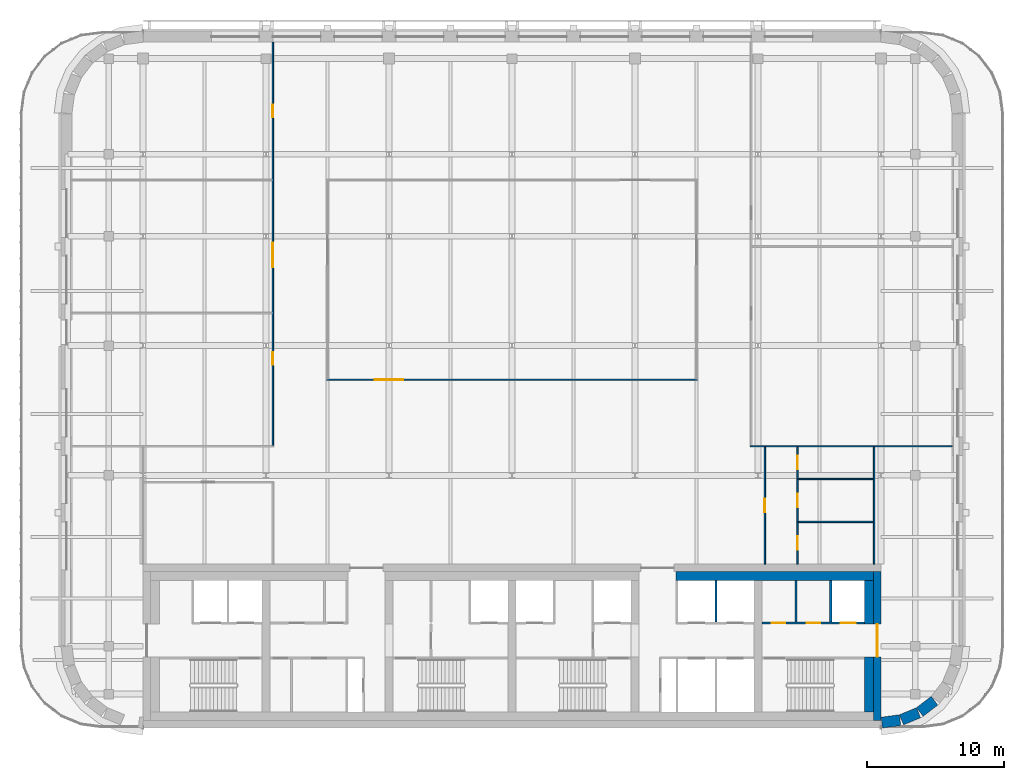
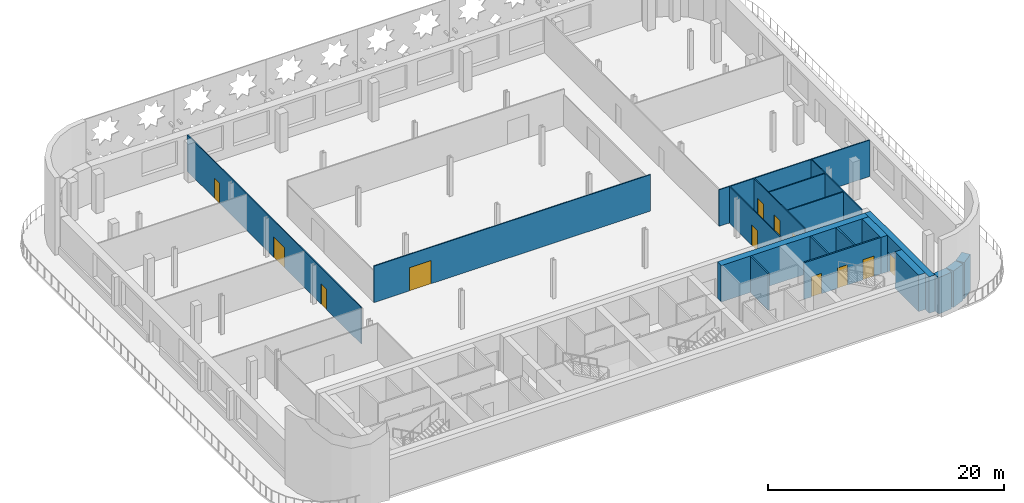
# One storey, part 9 of 15: 19 walls, 12 doors, 12 openings.
"""IFC4 building model written with IfcOpenShell, lengths in metres."""

from ifc_helpers import new_model, si_unit, direction, frame, frame_2d, origin, place, context, subcontext, project, spatial, rectangle, extrude, material, layer, layer_set, type_object, element, fill, save


model = new_model("IFC4")

# Units and contexts
model_context = context("Model", 3, precision=1e-05, world=origin(), true_north=direction((0.0, 1.0)))
body_context = subcontext(model_context, "Body", "Model", "MODEL_VIEW")
ifc_project = project(units=[si_unit("LENGTHUNIT", "METRE"), si_unit("AREAUNIT", "SQUARE_METRE"), si_unit("VOLUMEUNIT", "CUBIC_METRE"), si_unit("PLANEANGLEUNIT", "RADIAN"), si_unit("MASSUNIT", "GRAM", prefix="KILO")], contexts=[model_context])

# Site, building, storey
site_placement = place(None, origin())
site = spatial("IfcSite", under=ifc_project, at=site_placement, CompositionType="ELEMENT")
building_placement = place(site_placement, origin())
building = spatial("IfcBuilding", under=site, at=building_placement, Name="Zellij Exchange Tower", CompositionType="ELEMENT")
storey_placement = place(building_placement, frame((0.0, 0.0, 284.5)))
storey = spatial("IfcBuildingStorey", under=building, at=storey_placement, Name="L67", CompositionType="ELEMENT", Elevation=284.5)

# Walls
ifc_material_1 = material(Name="Concrete C30/37", Category="concrete")
ifc_layer_1 = layer(ifc_material_1, 0.64990234375)
ifc_layer_set_1 = layer_set([ifc_layer_1], Name="Concrete C30/37")
wall_type_1 = type_object("IfcWallType", Name="CORE-LW 650 C30/37", PredefinedType="SHEAR", material=ifc_layer_set_1)
wall_1_placement = place(storey_placement, frame((12.0, -2.875, 0.0), z_axis=(0.0, 0.0, 1.0), x_axis=(1.0, 0.0, 0.0)))
element("IfcWall", 1, at=wall_1_placement, inside=storey, type_object=wall_type_1, Name="Core wall lining front.2 L67", PredefinedType="SHEAR", context=body_context, shape_type="SweptSolid", body=[
    extrude(rectangle(XDim=14.449951171875, YDim=0.64990234375, at=frame_2d((7.22509765625, 0.0))), origin(), (0.0, 0.0, 1.0), 3.780029296875),
])
wall_2_placement = place(storey_placement, frame((26.125, -12.800048828125, 0.0), z_axis=(0.0, 0.0, 1.0), x_axis=(0.0, 1.0, 0.0)))
element("IfcWall", 2, at=wall_2_placement, inside=storey, type_object=wall_type_1, Name="Core wall lining end e.0 L67", PredefinedType="SHEAR", context=body_context, shape_type="SweptSolid", body=[
    extrude(rectangle(XDim=4.0, YDim=0.64990234375, at=frame_2d((2.0, 0.0))), origin(), (0.0, 0.0, 1.0), 3.780029296875),
])
wall_3_placement = place(storey_placement, frame((26.125, -6.375, 0.0), z_axis=(0.0, 0.0, 1.0), x_axis=(0.0, 1.0, 0.0)))
element("IfcWall", 3, at=wall_3_placement, inside=storey, type_object=wall_type_1, Name="Core wall lining end e.1 L67", PredefinedType="SHEAR", context=body_context, shape_type="SweptSolid", body=[
    extrude(rectangle(XDim=3.175048828125, YDim=0.64990234375, at=frame_2d((1.58740234375, 0.0))), origin(), (0.0, 0.0, 1.0), 3.780029296875),
])
ifc_material_2 = material(Name="Gypsum board partition")
ifc_layer_2 = layer(ifc_material_2, 0.14990234375)
ifc_layer_set_2 = layer_set([ifc_layer_2], Name="Gypsum board partition")
wall_type_2 = type_object("IfcWallType", Name="CORE-PW 150 Lift lobby wall", PredefinedType="PARTITIONING", material=ifc_layer_set_2)
wall_4_placement = place(storey_placement, frame((20.77490234375, -6.22509765625, 0.0), z_axis=(0.0, 0.0, 1.0), x_axis=(0.0, 1.0, 0.0)))
element("IfcWall", 4, at=wall_4_placement, inside=storey, type_object=wall_type_2, Name="Lift lobby wall L67", PredefinedType="PARTITIONING", context=body_context, shape_type="SweptSolid", body=[
    extrude(rectangle(XDim=3.025146484375, YDim=0.14990234375, at=frame_2d((1.5126953125, 0.0))), origin(), (0.0, 0.0, 1.0), 3.780029296875),
])
ifc_material_3 = material(Name="Gypsum shaft wall system")
ifc_layer_3 = layer(ifc_material_3, 0.14990234375)
ifc_layer_set_3 = layer_set([ifc_layer_3], Name="Gypsum shaft wall system")
wall_type_3 = type_object("IfcWallType", Name="CORE-PW 150 Lift shaft wall", PredefinedType="PARTITIONING", material=ifc_layer_set_3)
for number, where, z_axis, x_axis, name in (
    (5, (14.925048828125, -6.22509765625, 0.0), (0.0, 0.0, 1.0), (0.0, 1.0, 0.0), "Lift shaft wall L67"),
    (6, (23.324951171875, -6.22509765625, 0.0), (0.0, 0.0, 1.0), (0.0, 1.0, 0.0), "Lift shaft wall L67"),
):
    element("IfcWall", number, at=place(storey_placement, frame(where, z_axis=z_axis, x_axis=x_axis)), inside=storey, type_object=wall_type_3, Name=name, PredefinedType="PARTITIONING", context=body_context, shape_type="SweptSolid", body=[
        extrude(rectangle(XDim=3.025146484375, YDim=0.14990234375, at=frame_2d((1.5126953125, 0.0))), origin(), (0.0, 0.0, 1.0), 3.780029296875),
    ])

# Wall, openings, doors
wall_5_placement = place(storey_placement, frame((18.300048828125, -6.300048828125, 0.0), z_axis=(0.0, 0.0, 1.0), x_axis=(1.0, 0.0, 0.0)))
wall_5 = element("IfcWall", 7, at=wall_5_placement, inside=storey, type_object=wall_type_3, Name="Lift shaft wall L67", PredefinedType="PARTITIONING", context=body_context, shape_type="SweptSolid", body=[
    extrude(rectangle(XDim=7.5, YDim=0.14990234375, at=frame_2d((3.75, 0.0))), origin(), (0.0, 0.0, 1.0), 3.780029296875),
])
opening_1_placement = place(wall_5_placement, frame((0.699951171875, 0.0, 0.0)))
opening_1 = element("IfcOpeningElement", 8, at=opening_1_placement, cuts=wall_5, Name="Opening CA-35.25", PredefinedType="OPENING", context=body_context, shape_type="SweptSolid", body=[
    extrude(rectangle(XDim=1.0, YDim=2.10009765625, at=frame_2d((0.5, 1.050048828125))), frame((0.0, 0.0869140625, 0.0), z_axis=(0.0, -1.0, 0.0), x_axis=(1.0, 0.0, 0.0)), (0.0, 0.0, 1.0), 0.173828125),
])
opening_2_placement = place(wall_5_placement, frame((3.25, 0.0, 0.0)))
opening_2 = element("IfcOpeningElement", 9, at=opening_2_placement, cuts=wall_5, Name="Opening CA-35.26", PredefinedType="OPENING", context=body_context, shape_type="SweptSolid", body=[
    extrude(rectangle(XDim=1.0, YDim=2.10009765625, at=frame_2d((0.5, 1.050048828125))), frame((0.0, 0.0869140625, 0.0), z_axis=(0.0, -1.0, 0.0), x_axis=(1.0, 0.0, 0.0)), (0.0, 0.0, 1.0), 0.173828125),
])
opening_3_placement = place(wall_5_placement, frame((5.75, 0.0, 0.0)))
opening_3 = element("IfcOpeningElement", 10, at=opening_3_placement, cuts=wall_5, Name="Opening CA-35.27", PredefinedType="OPENING", context=body_context, shape_type="SweptSolid", body=[
    extrude(rectangle(XDim=1.10009765625, YDim=2.10009765625, at=frame_2d((0.550048828125, 1.050048828125))), frame((0.0, 0.0869140625, 0.0), z_axis=(0.0, -1.0, 0.0), x_axis=(1.0, 0.0, 0.0)), (0.0, 0.0, 1.0), 0.173828125),
])
ifc_material_4 = material(Name="Hollow metal fire door")
door_type_1 = type_object("IfcDoorType", Name="CORE-D CD Core room door 1000x2100 1 HR", OperationType="NOTDEFINED", PredefinedType="DOOR", material=ifc_material_4)
door_1_placement = place(opening_1_placement, origin())
door_1 = element("IfcDoor", 11, at=door_1_placement, inside=storey, type_object=door_type_1, Name="Core room door CA-35.25", OperationType="SINGLE_SWING_LEFT", OverallHeight=2.10009765625, OverallWidth=1.0, PredefinedType="DOOR", context=body_context, shape_type="SweptSolid", body=[
    extrude(rectangle(XDim=1.0, YDim=2.10009765625, at=frame_2d((0.5, 1.050048828125))), frame((0.0, 0.02490234375, 0.0), z_axis=(0.0, -1.0, 0.0), x_axis=(1.0, 0.0, 0.0)), (0.0, 0.0, 1.0), 0.050048828125),
])
fill(opening_1, door_1)
door_2_placement = place(opening_2_placement, origin())
door_2 = element("IfcDoor", 12, at=door_2_placement, inside=storey, type_object=door_type_1, Name="Core room door CA-35.26", OperationType="SINGLE_SWING_LEFT", OverallHeight=2.10009765625, OverallWidth=1.0, PredefinedType="DOOR", context=body_context, shape_type="SweptSolid", body=[
    extrude(rectangle(XDim=1.0, YDim=2.10009765625, at=frame_2d((0.5, 1.050048828125))), frame((0.0, 0.02490234375, 0.0), z_axis=(0.0, -1.0, 0.0), x_axis=(1.0, 0.0, 0.0)), (0.0, 0.0, 1.0), 0.050048828125),
])
fill(opening_2, door_2)
door_type_2 = type_object("IfcDoorType", Name="CORE-D LD Lift landing door 1100x2100 1.5 HR", OperationType="NOTDEFINED", PredefinedType="DOOR", material=ifc_material_4)
door_3_placement = place(opening_3_placement, origin())
door_3 = element("IfcDoor", 13, at=door_3_placement, inside=storey, type_object=door_type_2, Name="Lift landing door CA-35.27", OperationType="SLIDING_TO_LEFT", OverallHeight=2.10009765625, OverallWidth=1.10009765625, PredefinedType="DOOR", context=body_context, shape_type="SweptSolid", body=[
    extrude(rectangle(XDim=1.10009765625, YDim=2.10009765625, at=frame_2d((0.550048828125, 1.050048828125))), frame((0.0, 0.02490234375, 0.0), z_axis=(0.0, -1.0, 0.0), x_axis=(1.0, 0.0, 0.0)), (0.0, 0.0, 1.0), 0.050048828125),
])
fill(opening_3, door_3)

# Wall, opening, door
ifc_material_5 = material(Name="Concrete C50/60", Category="concrete")
ifc_layer_4 = layer(ifc_material_5, 0.550048828125)
ifc_layer_set_4 = layer_set([ifc_layer_4], Name="Concrete C50/60")
wall_type_4 = type_object("IfcWallType", Name="CORE-SW 550 C50/60", PredefinedType="SHEAR", material=ifc_layer_set_4)
wall_6_placement = place(storey_placement, frame((26.72509765625, -13.449951171875, 0.0), z_axis=(0.0, 0.0, 1.0), x_axis=(0.0, 1.0, 0.0)))
wall_6 = element("IfcWall", 14, at=wall_6_placement, inside=storey, type_object=wall_type_4, Name="Core shear wall end e L67", PredefinedType="SHEAR", context=body_context, shape_type="SweptSolid", body=[
    extrude(rectangle(XDim=10.89990234375, YDim=0.550048828125, at=frame_2d((5.449951171875, 0.0))), origin(), (0.0, 0.0, 1.0), 3.780029296875),
])
opening_4_placement = place(wall_6_placement, frame((4.662109375, 0.0, 0.0)))
opening_4 = element("IfcOpeningElement", 15, at=opening_4_placement, cuts=wall_6, Name="Opening CA-35.28", PredefinedType="OPENING", context=body_context, shape_type="SweptSolid", body=[
    extrude(rectangle(XDim=2.39990234375, YDim=2.10009765625, at=frame_2d((1.199951171875, 1.050048828125))), frame((0.0, 0.287109375, 0.0), z_axis=(0.0, -1.0, 0.0), x_axis=(1.0, 0.0, 0.0)), (0.0, 0.0, 1.0), 0.573974609375),
])
door_type_3 = type_object("IfcDoorType", Name="CORE-D CE Core entrance door 2400x2100 20 MIN", OperationType="NOTDEFINED", PredefinedType="DOOR", material=ifc_material_4)
door_4_placement = place(opening_4_placement, origin())
door_4 = element("IfcDoor", 16, at=door_4_placement, inside=storey, type_object=door_type_3, Name="Core entrance door CA-35.28", OperationType="DOUBLE_DOOR_SINGLE_SWING", OverallHeight=2.10009765625, OverallWidth=2.39990234375, PredefinedType="DOOR", context=body_context, shape_type="SweptSolid", body=[
    extrude(rectangle(XDim=2.39990234375, YDim=2.10009765625, at=frame_2d((1.199951171875, 1.050048828125))), frame((0.0, 0.02490234375, 0.0), z_axis=(0.0, -1.0, 0.0), x_axis=(1.0, 0.0, 0.0)), (0.0, 0.0, 1.0), 0.050048828125),
])
fill(opening_4, door_4)

# Walls
ifc_material_6 = material(Name="Precast concrete C40/50", Category="concrete")
ifc_layer_5 = layer(ifc_material_6, 0.800048828125)
ifc_layer_set_5 = layer_set([ifc_layer_5], Name="Precast concrete C40/50")
wall_type_5 = type_object("IfcWallType", Name="ENV-EW1 Precast stone-piered wall 800", PredefinedType="SOLIDWALL", material=ifc_layer_set_5)
wall_7_placement = place(storey_placement, frame((27.059326171875, -13.5888671875, 0.0), z_axis=(0.0, 0.0, 1.0), x_axis=(0.991443199569, 0.13053881426, 0.0)))
element("IfcWall", 17, at=wall_7_placement, inside=storey, type_object=wall_type_5, Name="fac.L67.01", PredefinedType="SOLIDWALL", context=body_context, shape_type="SweptSolid", body=[
    extrude(rectangle(XDim=1.348388671875, YDim=0.800048828125, at=frame_2d((0.67431640625, 0.0))), origin(), (0.0, 0.0, 1.0), 3.780029296875),
])
wall_8_placement = place(storey_placement, frame((28.497314453125, -13.3857421875, 0.0), z_axis=(0.0, 0.0, 1.0), x_axis=(0.923847774587, 0.38276009378, 0.0)))
element("IfcWall", 18, at=wall_8_placement, inside=storey, type_object=wall_type_5, Name="fac.L67.02", PredefinedType="SOLIDWALL", context=body_context, shape_type="SweptSolid", body=[
    extrude(rectangle(XDim=1.35546875, YDim=0.800048828125, at=frame_2d((0.677734375, 0.0))), origin(), (0.0, 0.0, 1.0), 3.780029296875),
])
wall_9_placement = place(storey_placement, frame((29.840087890625, -12.814697265625, 0.0), z_axis=(0.0, 0.0, 1.0), x_axis=(0.793272915452, 0.608866226366, 0.0)))
element("IfcWall", 19, at=wall_9_placement, inside=storey, type_object=wall_type_5, Name="fac.L67.03", PredefinedType="SOLIDWALL", context=body_context, shape_type="SweptSolid", body=[
    extrude(rectangle(XDim=1.355712890625, YDim=0.800048828125, at=frame_2d((0.677734375, 0.0))), origin(), (0.0, 0.0, 1.0), 3.780029296875),
])

# Wall, opening, door
ifc_material_7 = material(Name="Gypsum board partition on steel studs", Category="steel")
ifc_layer_6 = layer(ifc_material_7, 0.10009765625)
ifc_layer_set_6 = layer_set([ifc_layer_6], Name="Gypsum board partition on steel studs")
wall_type_6 = type_object("IfcWallType", Name="FIT-PARTITION-100", PredefinedType="PARTITIONING", material=ifc_layer_set_6)
wall_10_placement = place(storey_placement, frame((18.5, -2.0, 0.0), z_axis=(0.0, 0.0, 1.0), x_axis=(0.0, 1.0, 0.0)))
wall_10 = element("IfcWall", 20, at=wall_10_placement, inside=storey, type_object=wall_type_6, Name="FIT-PARTITION-100 004", PredefinedType="PARTITIONING", context=body_context, shape_type="SweptSolid", body=[
    extrude(rectangle(XDim=8.580078125, YDim=0.10009765625, at=frame_2d((4.2900390625, 0.0))), origin(), (0.0, 0.0, 1.0), 3.780029296875),
])
opening_5_placement = place(wall_10_placement, frame((3.800048828125, 0.0, 0.0)))
opening_5 = element("IfcOpeningElement", 21, at=opening_5_placement, cuts=wall_10, Name="Opening EX4.02", PredefinedType="OPENING", context=body_context, shape_type="SweptSolid", body=[
    extrude(rectangle(XDim=1.0, YDim=2.10009765625, at=frame_2d((0.5, 1.050048828125))), frame((0.0, 0.06201171875, 0.0), z_axis=(0.0, -1.0, 0.0), x_axis=(1.0, 0.0, 0.0)), (0.0, 0.0, 1.0), 0.1240234375),
])
ifc_material_8 = material(Name="Timber door set", Category="wood")
door_type_4 = type_object("IfcDoorType", Name="FIT-D2-WIDE-1000X2100", OperationType="SINGLE_SWING_LEFT", PredefinedType="DOOR", material=ifc_material_8)
door_5_placement = place(opening_5_placement, origin())
door_5 = element("IfcDoor", 22, at=door_5_placement, inside=storey, type_object=door_type_4, Name="Door EX4.02", OperationType="SINGLE_SWING_LEFT", OverallHeight=2.10009765625, OverallWidth=1.0, PredefinedType="DOOR", context=body_context, shape_type="SweptSolid", body=[
    extrude(rectangle(XDim=1.0, YDim=2.10009765625, at=frame_2d((0.5, 1.050048828125))), frame((0.0, 0.02490234375, 0.0), z_axis=(0.0, -1.0, 0.0), x_axis=(1.0, 0.0, 0.0)), (0.0, 0.0, 1.0), 0.050048828125),
])
fill(opening_5, door_5)

# Wall, openings, doors
wall_11_placement = place(storey_placement, frame((20.89990234375, -2.0, 0.0), z_axis=(0.0, 0.0, 1.0), x_axis=(0.0, 1.0, 0.0)))
wall_11 = element("IfcWall", 23, at=wall_11_placement, inside=storey, type_object=wall_type_6, Name="FIT-PARTITION-100 005", PredefinedType="PARTITIONING", context=body_context, shape_type="SweptSolid", body=[
    extrude(rectangle(XDim=8.580078125, YDim=0.10009765625, at=frame_2d((4.2900390625, 0.0))), origin(), (0.0, 0.0, 1.0), 3.780029296875),
])
opening_6_placement = place(wall_11_placement, frame((1.050048828125, 0.0, 0.0)))
opening_6 = element("IfcOpeningElement", 24, at=opening_6_placement, cuts=wall_11, Name="Opening EX4.01", PredefinedType="OPENING", context=body_context, shape_type="SweptSolid", body=[
    extrude(rectangle(XDim=1.0, YDim=2.10009765625, at=frame_2d((0.5, 1.050048828125))), frame((0.0, 0.06201171875, 0.0), z_axis=(0.0, -1.0, 0.0), x_axis=(1.0, 0.0, 0.0)), (0.0, 0.0, 1.0), 0.1240234375),
])
opening_7_placement = place(wall_11_placement, frame((4.1650390625, 0.0, 0.0)))
opening_7 = element("IfcOpeningElement", 25, at=opening_7_placement, cuts=wall_11, Name="Opening EX4.03", PredefinedType="OPENING", context=body_context, shape_type="SweptSolid", body=[
    extrude(rectangle(XDim=1.0, YDim=2.10009765625, at=frame_2d((0.5, 1.050048828125))), frame((0.0, 0.06201171875, 0.0), z_axis=(0.0, -1.0, 0.0), x_axis=(1.0, 0.0, 0.0)), (0.0, 0.0, 1.0), 0.1240234375),
])
opening_8_placement = place(wall_11_placement, frame((6.929931640625, 0.0, 0.0)))
opening_8 = element("IfcOpeningElement", 26, at=opening_8_placement, cuts=wall_11, Name="Opening EX4.05", PredefinedType="OPENING", context=body_context, shape_type="SweptSolid", body=[
    extrude(rectangle(XDim=1.0, YDim=2.10009765625, at=frame_2d((0.5, 1.050048828125))), frame((0.0, 0.06201171875, 0.0), z_axis=(0.0, -1.0, 0.0), x_axis=(1.0, 0.0, 0.0)), (0.0, 0.0, 1.0), 0.1240234375),
])
door_6_placement = place(opening_6_placement, origin())
door_6 = element("IfcDoor", 27, at=door_6_placement, inside=storey, type_object=door_type_4, Name="Door EX4.01", OperationType="SINGLE_SWING_LEFT", OverallHeight=2.10009765625, OverallWidth=1.0, PredefinedType="DOOR", context=body_context, shape_type="SweptSolid", body=[
    extrude(rectangle(XDim=1.0, YDim=2.10009765625, at=frame_2d((0.5, 1.050048828125))), frame((0.0, 0.02490234375, 0.0), z_axis=(0.0, -1.0, 0.0), x_axis=(1.0, 0.0, 0.0)), (0.0, 0.0, 1.0), 0.050048828125),
])
fill(opening_6, door_6)
door_7_placement = place(opening_7_placement, origin())
door_7 = element("IfcDoor", 28, at=door_7_placement, inside=storey, type_object=door_type_4, Name="Door EX4.03", OperationType="SINGLE_SWING_LEFT", OverallHeight=2.10009765625, OverallWidth=1.0, PredefinedType="DOOR", context=body_context, shape_type="SweptSolid", body=[
    extrude(rectangle(XDim=1.0, YDim=2.10009765625, at=frame_2d((0.5, 1.050048828125))), frame((0.0, 0.02490234375, 0.0), z_axis=(0.0, -1.0, 0.0), x_axis=(1.0, 0.0, 0.0)), (0.0, 0.0, 1.0), 0.050048828125),
])
fill(opening_7, door_7)
door_8_placement = place(opening_8_placement, origin())
door_8 = element("IfcDoor", 29, at=door_8_placement, inside=storey, type_object=door_type_4, Name="Door EX4.05", OperationType="SINGLE_SWING_LEFT", OverallHeight=2.10009765625, OverallWidth=1.0, PredefinedType="DOOR", context=body_context, shape_type="SweptSolid", body=[
    extrude(rectangle(XDim=1.0, YDim=2.10009765625, at=frame_2d((0.5, 1.050048828125))), frame((0.0, 0.02490234375, 0.0), z_axis=(0.0, -1.0, 0.0), x_axis=(1.0, 0.0, 0.0)), (0.0, 0.0, 1.0), 0.050048828125),
])
fill(opening_8, door_8)

# Walls
wall_12_placement = place(storey_placement, frame((26.5, -2.0, 0.0), z_axis=(0.0, 0.0, 1.0), x_axis=(0.0, 1.0, 0.0)))
element("IfcWall", 30, at=wall_12_placement, inside=storey, type_object=wall_type_6, Name="FIT-PARTITION-100 006", PredefinedType="PARTITIONING", context=body_context, shape_type="SweptSolid", body=[
    extrude(rectangle(XDim=8.580078125, YDim=0.10009765625, at=frame_2d((4.2900390625, 0.0))), origin(), (0.0, 0.0, 1.0), 3.780029296875),
])
for number, where, z_axis, x_axis, name in (
    (31, (20.949951171875, 1.10009765625, 0.0), (0.0, 0.0, 1.0), (1.0, 0.0, 0.0), "FIT-PARTITION-100 007"),
    (32, (20.949951171875, 4.22998046875, 0.0), (0.0, 0.0, 1.0), (1.0, 0.0, 0.0), "FIT-PARTITION-100 009"),
):
    element("IfcWall", number, at=place(storey_placement, frame(where, z_axis=z_axis, x_axis=x_axis)), inside=storey, type_object=wall_type_6, Name=name, PredefinedType="PARTITIONING", context=body_context, shape_type="SweptSolid", body=[
        extrude(rectangle(XDim=5.5, YDim=0.10009765625, at=frame_2d((2.75, 0.0))), origin(), (0.0, 0.0, 1.0), 3.780029296875),
    ])

# Wall, openings, doors
wall_13_placement = place(storey_placement, frame((-17.5, 6.679931640625, 0.0), z_axis=(0.0, 0.0, 1.0), x_axis=(0.0, 1.0, 0.0)))
wall_13 = element("IfcWall", 33, at=wall_13_placement, inside=storey, type_object=wall_type_6, Name="FIT-PARTITION-100 011", PredefinedType="PARTITIONING", context=body_context, shape_type="SweptSolid", body=[
    extrude(rectangle(XDim=29.52001953125, YDim=0.10009765625, at=frame_2d((14.760009765625, 0.0))), origin(), (0.0, 0.0, 1.0), 3.780029296875),
])
opening_9_placement = place(wall_13_placement, frame((5.919921875, 0.0, 0.0)))
opening_9 = element("IfcOpeningElement", 34, at=opening_9_placement, cuts=wall_13, Name="Opening EX4.07", PredefinedType="OPENING", context=body_context, shape_type="SweptSolid", body=[
    extrude(rectangle(XDim=0.89990234375, YDim=2.10009765625, at=frame_2d((0.449951171875, 1.050048828125))), frame((0.0, 0.06201171875, 0.0), z_axis=(0.0, -1.0, 0.0), x_axis=(1.0, 0.0, 0.0)), (0.0, 0.0, 1.0), 0.1240234375),
])
opening_10_placement = place(wall_13_placement, frame((13.0400390625, 0.0, 0.0)))
opening_10 = element("IfcOpeningElement", 35, at=opening_10_placement, cuts=wall_13, Name="Opening EX4.09", PredefinedType="OPENING", context=body_context, shape_type="SweptSolid", body=[
    extrude(rectangle(XDim=1.800048828125, YDim=2.10009765625, at=frame_2d((0.89990234375, 1.050048828125))), frame((0.0, 0.06201171875, 0.0), z_axis=(0.0, -1.0, 0.0), x_axis=(1.0, 0.0, 0.0)), (0.0, 0.0, 1.0), 0.1240234375),
])
opening_11_placement = place(wall_13_placement, frame((24.030029296875, 0.0, 0.0)))
opening_11 = element("IfcOpeningElement", 36, at=opening_11_placement, cuts=wall_13, Name="Opening EX4.14", PredefinedType="OPENING", context=body_context, shape_type="SweptSolid", body=[
    extrude(rectangle(XDim=0.89990234375, YDim=2.10009765625, at=frame_2d((0.449951171875, 1.050048828125))), frame((0.0, 0.06201171875, 0.0), z_axis=(0.0, -1.0, 0.0), x_axis=(1.0, 0.0, 0.0)), (0.0, 0.0, 1.0), 0.1240234375),
])
door_type_5 = type_object("IfcDoorType", Name="FIT-D1-ROOM-900X2100", OperationType="SINGLE_SWING_LEFT", PredefinedType="DOOR", material=ifc_material_8)
door_9_placement = place(opening_9_placement, origin())
door_9 = element("IfcDoor", 37, at=door_9_placement, inside=storey, type_object=door_type_5, Name="Door EX4.07", OperationType="SINGLE_SWING_LEFT", OverallHeight=2.10009765625, OverallWidth=0.89990234375, PredefinedType="DOOR", context=body_context, shape_type="SweptSolid", body=[
    extrude(rectangle(XDim=0.89990234375, YDim=2.10009765625, at=frame_2d((0.449951171875, 1.050048828125))), frame((0.0, 0.02490234375, 0.0), z_axis=(0.0, -1.0, 0.0), x_axis=(1.0, 0.0, 0.0)), (0.0, 0.0, 1.0), 0.050048828125),
])
fill(opening_9, door_9)
door_10_placement = place(opening_11_placement, origin())
door_10 = element("IfcDoor", 38, at=door_10_placement, inside=storey, type_object=door_type_5, Name="Door EX4.14", OperationType="SINGLE_SWING_RIGHT", OverallHeight=2.10009765625, OverallWidth=0.89990234375, PredefinedType="DOOR", context=body_context, shape_type="SweptSolid", body=[
    extrude(rectangle(XDim=0.89990234375, YDim=2.10009765625, at=frame_2d((0.449951171875, 1.050048828125))), frame((0.0, 0.02490234375, 0.0), z_axis=(0.0, -1.0, 0.0), x_axis=(1.0, 0.0, 0.0)), (0.0, 0.0, 1.0), 0.050048828125),
])
fill(opening_11, door_10)
door_type_6 = type_object("IfcDoorType", Name="FIT-D3-DOUBLE-1800X2100", OperationType="DOUBLE_DOOR_SINGLE_SWING", PredefinedType="DOOR", material=ifc_material_8)
door_11_placement = place(opening_10_placement, origin())
door_11 = element("IfcDoor", 39, at=door_11_placement, inside=storey, type_object=door_type_6, Name="Door EX4.09", OperationType="DOUBLE_DOOR_SINGLE_SWING", OverallHeight=2.10009765625, OverallWidth=1.800048828125, PredefinedType="DOOR", context=body_context, shape_type="SweptSolid", body=[
    extrude(rectangle(XDim=1.800048828125, YDim=2.10009765625, at=frame_2d((0.89990234375, 1.050048828125))), frame((0.0, 0.02490234375, 0.0), z_axis=(0.0, -1.0, 0.0), x_axis=(1.0, 0.0, 0.0)), (0.0, 0.0, 1.0), 0.050048828125),
])
fill(opening_10, door_11)

# Wall
wall_14_placement = place(storey_placement, frame((17.449951171875, 6.6298828125, 0.0), z_axis=(0.0, 0.0, 1.0), x_axis=(1.0, 0.0, 0.0)))
element("IfcWall", 40, at=wall_14_placement, inside=storey, type_object=wall_type_6, Name="FIT-PARTITION-100 012", PredefinedType="PARTITIONING", context=body_context, shape_type="SweptSolid", body=[
    extrude(rectangle(XDim=14.75, YDim=0.10009765625, at=frame_2d((7.375, 0.0))), origin(), (0.0, 0.0, 1.0), 3.780029296875),
])

# Wall, opening, door
wall_15_placement = place(storey_placement, frame((-13.550048828125, 11.5, 0.0), z_axis=(0.0, 0.0, 1.0), x_axis=(1.0, 0.0, 0.0)))
wall_15 = element("IfcWall", 41, at=wall_15_placement, inside=storey, type_object=wall_type_6, Name="FIT-PARTITION-100 014", PredefinedType="PARTITIONING", context=body_context, shape_type="SweptSolid", body=[
    extrude(rectangle(XDim=27.10009765625, YDim=0.10009765625, at=frame_2d((13.550048828125, 0.0))), origin(), (0.0, 0.0, 1.0), 3.780029296875),
])
opening_12_placement = place(wall_15_placement, frame((3.5, 0.0, 0.0)))
opening_12 = element("IfcOpeningElement", 42, at=opening_12_placement, cuts=wall_15, Name="Opening EX4.06", PredefinedType="OPENING", context=body_context, shape_type="SweptSolid", body=[
    extrude(rectangle(XDim=2.10009765625, YDim=2.39990234375, at=frame_2d((1.050048828125, 1.199951171875))), frame((0.0, 0.06201171875, 0.0), z_axis=(0.0, -1.0, 0.0), x_axis=(1.0, 0.0, 0.0)), (0.0, 0.0, 1.0), 0.1240234375),
])
door_type_7 = type_object("IfcDoorType", Name="FIT-D7-ASSEMBLY-2100X2400", OperationType="DOUBLE_DOOR_SINGLE_SWING", PredefinedType="DOOR", material=ifc_material_8)
door_12_placement = place(opening_12_placement, origin())
door_12 = element("IfcDoor", 43, at=door_12_placement, inside=storey, type_object=door_type_7, Name="Door EX4.06", OperationType="DOUBLE_DOOR_SINGLE_SWING", OverallHeight=2.39990234375, OverallWidth=2.10009765625, PredefinedType="DOOR", context=body_context, shape_type="SweptSolid", body=[
    extrude(rectangle(XDim=2.10009765625, YDim=2.39990234375, at=frame_2d((1.050048828125, 1.199951171875))), frame((0.0, 0.02490234375, 0.0), z_axis=(0.0, -1.0, 0.0), x_axis=(1.0, 0.0, 0.0)), (0.0, 0.0, 1.0), 0.050048828125),
])
fill(opening_12, door_12)

save(model, "model.ifc")
